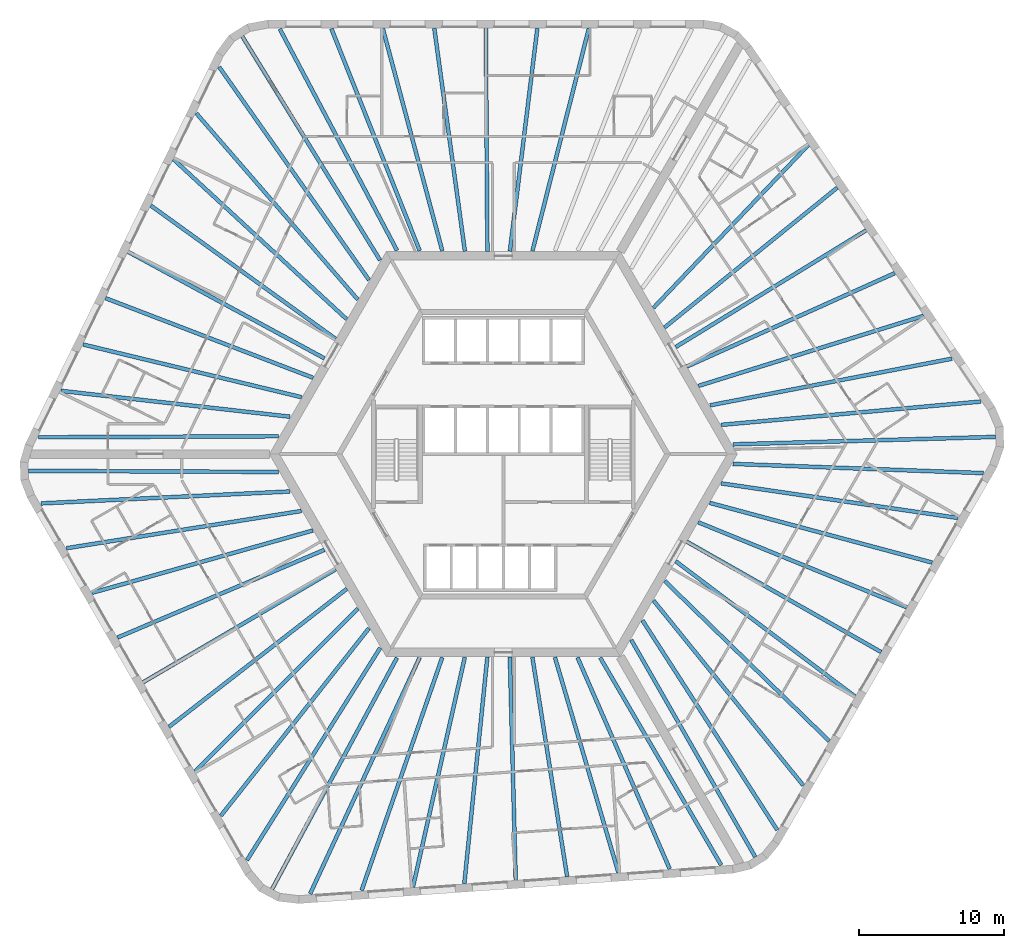
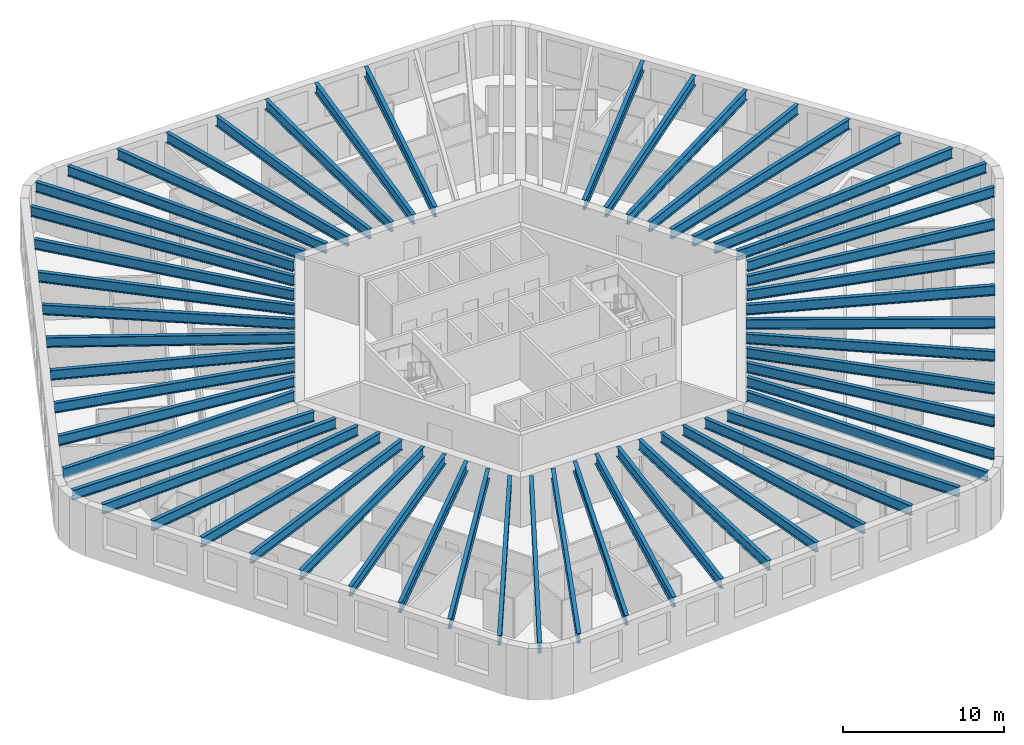
# One storey, part 1 of 12: 55 beams.
"""IFC4 building model written with IfcOpenShell, lengths in metres."""

from ifc_helpers import new_model, si_unit, direction, frame, origin, origin_2d, place, context, subcontext, project, spatial, i_section, extrude, material, material_profile, profile_set, type_object, element, save


model = new_model("IFC4")

# Units and contexts
model_context = context("Model", 3, precision=1e-05, world=origin(), true_north=direction((0.0, 1.0)))
body_context = subcontext(model_context, "Body", "Model", "MODEL_VIEW")
ifc_project = project(units=[si_unit("LENGTHUNIT", "METRE"), si_unit("AREAUNIT", "SQUARE_METRE"), si_unit("VOLUMEUNIT", "CUBIC_METRE"), si_unit("PLANEANGLEUNIT", "RADIAN"), si_unit("MASSUNIT", "GRAM", prefix="KILO")], contexts=[model_context])

# Site, building, storey
site_placement = place(None, origin())
site = spatial("IfcSite", under=ifc_project, at=site_placement, CompositionType="ELEMENT")
building_placement = place(site_placement, origin())
building = spatial("IfcBuilding", under=site, at=building_placement, Name="Tarnside Tower", CompositionType="ELEMENT")
storey_placement = place(building_placement, frame((0.0, 0.0, 131.10009765625)))
storey = spatial("IfcBuildingStorey", under=building, at=storey_placement, Name="L30", CompositionType="ELEMENT", Elevation=131.10009765625)

# Beams
ifc_material = material(Name="Steel S355", Category="steel")
ifc_material_profile_1 = material_profile(ifc_material, i_section(OverallWidth=0.26513671875, OverallDepth=0.75390625, WebThickness=0.0126953125, FlangeThickness=0.017578125, FilletRadius=0.0166015625, at=origin_2d()), Name="UB 762x267x147")
ifc_profile_set_1 = profile_set([ifc_material_profile_1], Name="Steel S355")
beam_type_1 = type_object("IfcBeamType", Name="Floor beam UB 762x267x147", PredefinedType="BEAM", material=ifc_profile_set_1)
beam_1_placement = place(storey_placement, frame((2.3525390625, 29.43017578125, 3.372802734375), z_axis=(-0.122329629165, -0.992489527314, 0.0), x_axis=(0.992489527314, -0.122329629165, 0.0)))
element("IfcBeam", 1, at=beam_1_placement, inside=storey, type_object=beam_type_1, Name="Floor beam F1.04", PredefinedType="BEAM", context=body_context, shape_type="SweptSolid", body=[
    extrude(i_section(OverallWidth=0.26513671875, OverallDepth=0.75390625, WebThickness=0.0126953125, FlangeThickness=0.017578125, FilletRadius=0.0166015625, at=origin_2d()), origin(), (0.0, 0.0, 1.0), 15.527099609375),
])
beam_2_placement = place(storey_placement, frame((-1.208984375, 29.449951171875, 3.372802734375), z_axis=(0.007000128723, -0.999975498799, 0.0), x_axis=(0.999975498799, 0.007000128723, 0.0)))
element("IfcBeam", 2, at=beam_2_placement, inside=storey, type_object=beam_type_1, Name="Floor beam F1.05", PredefinedType="BEAM", context=body_context, shape_type="SweptSolid", body=[
    extrude(i_section(OverallWidth=0.26513671875, OverallDepth=0.75390625, WebThickness=0.0126953125, FlangeThickness=0.017578125, FilletRadius=0.0166015625, at=origin_2d()), origin(), (0.0, 0.0, 1.0), 15.450439453125),
])
beam_3_placement = place(storey_placement, frame((-4.7705078125, 29.43017578125, 3.372802734375), z_axis=(0.136000560933, -0.990708760144, 0.0), x_axis=(0.990708760144, 0.136000560933, 0.0)))
element("IfcBeam", 3, at=beam_3_placement, inside=storey, type_object=beam_type_1, Name="Floor beam F1.06", PredefinedType="BEAM", context=body_context, shape_type="SweptSolid", body=[
    extrude(i_section(OverallWidth=0.26513671875, OverallDepth=0.75390625, WebThickness=0.0126953125, FlangeThickness=0.017578125, FilletRadius=0.0166015625, at=origin_2d()), origin(), (0.0, 0.0, 1.0), 15.554931640625),
])
beam_4_placement = place(storey_placement, frame((-24.348876953125, 17.168212890625, 3.372802734375), z_axis=(0.811027744825, -0.585007689799, 0.0), x_axis=(0.585007689799, 0.811027744825, 0.0)))
element("IfcBeam", 4, at=beam_4_placement, inside=storey, type_object=beam_type_1, Name="Floor beam F2.04", PredefinedType="BEAM", context=body_context, shape_type="SweptSolid", body=[
    extrude(i_section(OverallWidth=0.26513671875, OverallDepth=0.75390625, WebThickness=0.0126953125, FlangeThickness=0.017578125, FilletRadius=0.0166015625, at=origin_2d()), origin(), (0.0, 0.0, 1.0), 15.731689453125),
])
beam_5_placement = place(storey_placement, frame((-25.92626953125, 13.978271484375, 3.372802734375), z_axis=(0.878894567679, -0.477016078245, 0.0), x_axis=(0.477016078245, 0.878894567679, 0.0)))
element("IfcBeam", 5, at=beam_5_placement, inside=storey, type_object=beam_type_1, Name="Floor beam F2.05", PredefinedType="BEAM", context=body_context, shape_type="SweptSolid", body=[
    extrude(i_section(OverallWidth=0.26513671875, OverallDepth=0.75390625, WebThickness=0.0126953125, FlangeThickness=0.017578125, FilletRadius=0.0166015625, at=origin_2d()), origin(), (0.0, 0.0, 1.0), 15.427490234375),
])
beam_6_placement = place(storey_placement, frame((-27.487548828125, 10.77734375, 3.372802734375), z_axis=(0.933617702452, -0.358270827264, 0.0), x_axis=(0.358270827264, 0.933617702452, 0.0)))
element("IfcBeam", 6, at=beam_6_placement, inside=storey, type_object=beam_type_1, Name="Floor beam F2.06", PredefinedType="BEAM", context=body_context, shape_type="SweptSolid", body=[
    extrude(i_section(OverallWidth=0.26513671875, OverallDepth=0.75390625, WebThickness=0.0126953125, FlangeThickness=0.017578125, FilletRadius=0.0166015625, at=origin_2d()), origin(), (0.0, 0.0, 1.0), 15.363037109375),
])
beam_7_placement = place(storey_placement, frame((-29.029296875, 7.572509765625, 3.372802734375), z_axis=(0.972101750991, -0.234559556873, 0.0), x_axis=(0.234559556873, 0.972101750991, 0.0)))
element("IfcBeam", 7, at=beam_7_placement, inside=storey, type_object=beam_type_1, Name="Floor beam F2.07", PredefinedType="BEAM", context=body_context, shape_type="SweptSolid", body=[
    extrude(i_section(OverallWidth=0.26513671875, OverallDepth=0.75390625, WebThickness=0.0126953125, FlangeThickness=0.017578125, FilletRadius=0.0166015625, at=origin_2d()), origin(), (0.0, 0.0, 1.0), 15.522216796875),
])
beam_8_placement = place(storey_placement, frame((-26.66357421875, -12.677734375, 3.372802734375), z_axis=(0.920684021494, 0.390308765679, 0.0), x_axis=(-0.390308765679, 0.920684021494, 0.0)))
element("IfcBeam", 8, at=beam_8_placement, inside=storey, type_object=beam_type_1, Name="Floor beam F3.04", PredefinedType="BEAM", context=body_context, shape_type="SweptSolid", body=[
    extrude(i_section(OverallWidth=0.26513671875, OverallDepth=0.75390625, WebThickness=0.0126953125, FlangeThickness=0.017578125, FilletRadius=0.0166015625, at=origin_2d()), origin(), (0.0, 0.0, 1.0), 15.52685546875),
])
beam_9_placement = place(storey_placement, frame((-24.89990234375, -15.772216796875, 3.372802734375), z_axis=(0.862497502004, 0.506061319443, 0.0), x_axis=(-0.506061319443, 0.862497502004, 0.0)))
element("IfcBeam", 9, at=beam_9_placement, inside=storey, type_object=beam_type_1, Name="Floor beam F3.05", PredefinedType="BEAM", context=body_context, shape_type="SweptSolid", body=[
    extrude(i_section(OverallWidth=0.26513671875, OverallDepth=0.75390625, WebThickness=0.0126953125, FlangeThickness=0.017578125, FilletRadius=0.0166015625, at=origin_2d()), origin(), (0.0, 0.0, 1.0), 15.450439453125),
])
beam_10_placement = place(storey_placement, frame((-23.10205078125, -18.846435546875, 3.372802734375), z_axis=(0.789983963813, 0.613127504617, 0.0), x_axis=(-0.613127504617, 0.789983963813, 0.0)))
element("IfcBeam", 10, at=beam_10_placement, inside=storey, type_object=beam_type_1, Name="Floor beam F3.06", PredefinedType="BEAM", context=body_context, shape_type="SweptSolid", body=[
    extrude(i_section(OverallWidth=0.26513671875, OverallDepth=0.75390625, WebThickness=0.0126953125, FlangeThickness=0.017578125, FilletRadius=0.0166015625, at=origin_2d()), origin(), (0.0, 0.0, 1.0), 15.554931640625),
])
beam_11_placement = place(storey_placement, frame((-2.693603515625, -29.6708984375, 3.372802734375), z_axis=(0.101123115756, 0.994873919379, 0.0), x_axis=(-0.994873919379, 0.101123115756, 0.0)))
element("IfcBeam", 11, at=beam_11_placement, inside=storey, type_object=beam_type_1, Name="Floor beam F4.04", PredefinedType="BEAM", context=body_context, shape_type="SweptSolid", body=[
    extrude(i_section(OverallWidth=0.26513671875, OverallDepth=0.75390625, WebThickness=0.0126953125, FlangeThickness=0.017578125, FilletRadius=0.0166015625, at=origin_2d()), origin(), (0.0, 0.0, 1.0), 15.7314453125),
])
beam_12_placement = place(storey_placement, frame((0.857666015625, -29.44189453125, 3.372802734375), z_axis=(-0.026333316788, 0.999653218085, 0.0), x_axis=(-0.999653218085, -0.026333316788, 0.0)))
element("IfcBeam", 12, at=beam_12_placement, inside=storey, type_object=beam_type_1, Name="Floor beam F4.05", PredefinedType="BEAM", context=body_context, shape_type="SweptSolid", body=[
    extrude(i_section(OverallWidth=0.26513671875, OverallDepth=0.75390625, WebThickness=0.0126953125, FlangeThickness=0.017578125, FilletRadius=0.0166015625, at=origin_2d()), origin(), (0.0, 0.0, 1.0), 15.42724609375),
])
beam_13_placement = place(storey_placement, frame((4.41015625, -29.193603515625, 3.372802734375), z_axis=(-0.156513375907, 0.98767583911, 0.0), x_axis=(-0.98767583911, -0.156513375907, 0.0)))
element("IfcBeam", 13, at=beam_13_placement, inside=storey, type_object=beam_type_1, Name="Floor beam F4.06", PredefinedType="BEAM", context=body_context, shape_type="SweptSolid", body=[
    extrude(i_section(OverallWidth=0.26513671875, OverallDepth=0.75390625, WebThickness=0.0126953125, FlangeThickness=0.017578125, FilletRadius=0.0166015625, at=origin_2d()), origin(), (0.0, 0.0, 1.0), 15.36328125),
])
beam_14_placement = place(storey_placement, frame((7.956787109375, -28.926513671875, 3.372802734375), z_axis=(-0.282920694328, 0.959143305623, 0.0), x_axis=(-0.959143305623, -0.282920694328, 0.0)))
element("IfcBeam", 14, at=beam_14_placement, inside=storey, type_object=beam_type_1, Name="Floor beam F4.07", PredefinedType="BEAM", context=body_context, shape_type="SweptSolid", body=[
    extrude(i_section(OverallWidth=0.26513671875, OverallDepth=0.75390625, WebThickness=0.0126953125, FlangeThickness=0.017578125, FilletRadius=0.0166015625, at=origin_2d()), origin(), (0.0, 0.0, 1.0), 15.5224609375),
])
beam_15_placement = place(storey_placement, frame((24.31103515625, -16.75244140625, 3.372802734375), z_axis=(-0.798361152727, 0.602178935049, 0.0), x_axis=(-0.602178935049, -0.798361152727, 0.0)))
element("IfcBeam", 15, at=beam_15_placement, inside=storey, type_object=beam_type_1, Name="Floor beam F5.04", PredefinedType="BEAM", context=body_context, shape_type="SweptSolid", body=[
    extrude(i_section(OverallWidth=0.26513671875, OverallDepth=0.75390625, WebThickness=0.0126953125, FlangeThickness=0.017578125, FilletRadius=0.0166015625, at=origin_2d()), origin(), (0.0, 0.0, 1.0), 15.527099609375),
])
beam_16_placement = place(storey_placement, frame((26.10888671875, -13.677978515625, 3.372802734375), z_axis=(-0.869502520992, 0.493928502911, 0.0), x_axis=(-0.493928502911, -0.869502520992, 0.0)))
element("IfcBeam", 16, at=beam_16_placement, inside=storey, type_object=beam_type_1, Name="Floor beam F5.05", PredefinedType="BEAM", context=body_context, shape_type="SweptSolid", body=[
    extrude(i_section(OverallWidth=0.26513671875, OverallDepth=0.75390625, WebThickness=0.0126953125, FlangeThickness=0.017578125, FilletRadius=0.0166015625, at=origin_2d()), origin(), (0.0, 0.0, 1.0), 15.4501953125),
])
beam_17_placement = place(storey_placement, frame((27.87255859375, -10.58349609375, 3.372802734375), z_axis=(-0.925981621163, 0.377568586177, 0.0), x_axis=(-0.377568586177, -0.925981621163, 0.0)))
element("IfcBeam", 17, at=beam_17_placement, inside=storey, type_object=beam_type_1, Name="Floor beam F5.06", PredefinedType="BEAM", context=body_context, shape_type="SweptSolid", body=[
    extrude(i_section(OverallWidth=0.26513671875, OverallDepth=0.75390625, WebThickness=0.0126953125, FlangeThickness=0.017578125, FilletRadius=0.0166015625, at=origin_2d()), origin(), (0.0, 0.0, 1.0), 15.554931640625),
])
beam_18_placement = place(storey_placement, frame((27.04248046875, 12.502685546875, 3.372802734375), z_axis=(-0.912146413919, -0.409864513681, 0.0), x_axis=(0.409864513681, -0.912146413919, 0.0)))
element("IfcBeam", 18, at=beam_18_placement, inside=storey, type_object=beam_type_1, Name="Floor beam F6.04", PredefinedType="BEAM", context=body_context, shape_type="SweptSolid", body=[
    extrude(i_section(OverallWidth=0.26513671875, OverallDepth=0.75390625, WebThickness=0.0126953125, FlangeThickness=0.017578125, FilletRadius=0.0166015625, at=origin_2d()), origin(), (0.0, 0.0, 1.0), 15.7314453125),
])
beam_19_placement = place(storey_placement, frame((25.068603515625, 15.463623046875, 3.372802734375), z_axis=(-0.852558490017, -0.522631821744, 0.0), x_axis=(0.522631821744, -0.852558490017, 0.0)))
element("IfcBeam", 19, at=beam_19_placement, inside=storey, type_object=beam_type_1, Name="Floor beam F6.05", PredefinedType="BEAM", context=body_context, shape_type="SweptSolid", body=[
    extrude(i_section(OverallWidth=0.26513671875, OverallDepth=0.75390625, WebThickness=0.0126953125, FlangeThickness=0.017578125, FilletRadius=0.0166015625, at=origin_2d()), origin(), (0.0, 0.0, 1.0), 15.42724609375),
])
beam_20_placement = place(storey_placement, frame((23.0771484375, 18.416259765625, 3.372802734375), z_axis=(-0.777079423039, -0.629402550272, 0.0), x_axis=(0.629402550272, -0.777079423039, 0.0)))
element("IfcBeam", 20, at=beam_20_placement, inside=storey, type_object=beam_type_1, Name="Floor beam F6.06", PredefinedType="BEAM", context=body_context, shape_type="SweptSolid", body=[
    extrude(i_section(OverallWidth=0.26513671875, OverallDepth=0.75390625, WebThickness=0.0126953125, FlangeThickness=0.017578125, FilletRadius=0.0166015625, at=origin_2d()), origin(), (0.0, 0.0, 1.0), 15.36328125),
])
beam_21_placement = place(storey_placement, frame((21.072509765625, 21.35400390625, 3.372802734375), z_axis=(-0.689174694318, -0.724595225427, 0.0), x_axis=(0.724595225427, -0.689174694318, 0.0)))
element("IfcBeam", 21, at=beam_21_placement, inside=storey, type_object=beam_type_1, Name="Floor beam F6.07", PredefinedType="BEAM", context=body_context, shape_type="SweptSolid", body=[
    extrude(i_section(OverallWidth=0.26513671875, OverallDepth=0.75390625, WebThickness=0.0126953125, FlangeThickness=0.017578125, FilletRadius=0.0166015625, at=origin_2d()), origin(), (0.0, 0.0, 1.0), 15.522216796875),
])
ifc_material_profile_2 = material_profile(ifc_material, i_section(OverallWidth=0.2666015625, OverallDepth=0.76220703125, WebThickness=0.014404296875, FlangeThickness=0.021484375, FilletRadius=0.0166015625, at=origin_2d()), Name="UB 762x267x173")
ifc_profile_set_2 = profile_set([ifc_material_profile_2], Name="Steel S355")
beam_type_2 = type_object("IfcBeamType", Name="Floor beam UB 762x267x173", PredefinedType="BEAM", material=ifc_profile_set_2)
beam_22_placement = place(storey_placement, frame((5.909423828125, 29.4111328125, 3.368896484375), z_axis=(-0.245747281389, -0.969333933013, 0.0), x_axis=(0.969333933013, -0.245747281389, 0.0)))
element("IfcBeam", 22, at=beam_22_placement, inside=storey, type_object=beam_type_2, Name="Floor beam F1.03", PredefinedType="BEAM", context=body_context, shape_type="SweptSolid", body=[
    extrude(i_section(OverallWidth=0.2666015625, OverallDepth=0.76220703125, WebThickness=0.014404296875, FlangeThickness=0.021484375, FilletRadius=0.0166015625, at=origin_2d()), origin(), (0.0, 0.0, 1.0), 15.858642578125),
])
beam_23_placement = place(storey_placement, frame((-8.3271484375, 29.411376953125, 3.368896484375), z_axis=(0.258447478572, -0.966025310652, 0.0), x_axis=(0.966025310652, 0.258447478572, 0.0)))
element("IfcBeam", 23, at=beam_23_placement, inside=storey, type_object=beam_type_2, Name="Floor beam F1.07", PredefinedType="BEAM", context=body_context, shape_type="SweptSolid", body=[
    extrude(i_section(OverallWidth=0.2666015625, OverallDepth=0.76220703125, WebThickness=0.014404296875, FlangeThickness=0.021484375, FilletRadius=0.0166015625, at=origin_2d()), origin(), (0.0, 0.0, 1.0), 15.91357421875),
])
beam_24_placement = place(storey_placement, frame((-11.87939453125, 29.394287109375, 3.368896484375), z_axis=(0.369638204477, -0.929175762593, 0.0), x_axis=(0.929175762593, 0.369638204477, 0.0)))
element("IfcBeam", 24, at=beam_24_placement, inside=storey, type_object=beam_type_2, Name="Floor beam F1.08", PredefinedType="BEAM", context=body_context, shape_type="SweptSolid", body=[
    extrude(i_section(OverallWidth=0.2666015625, OverallDepth=0.76220703125, WebThickness=0.014404296875, FlangeThickness=0.021484375, FilletRadius=0.0166015625, at=origin_2d()), origin(), (0.0, 0.0, 1.0), 16.507568359375),
])
beam_25_placement = place(storey_placement, frame((-15.44580078125, 29.37939453125, 3.368896484375), z_axis=(0.467741993634, -0.883865050441, 0.0), x_axis=(0.883865050441, 0.467741993634, 0.0)))
element("IfcBeam", 25, at=beam_25_placement, inside=storey, type_object=beam_type_2, Name="Floor beam F1.09", PredefinedType="BEAM", context=body_context, shape_type="SweptSolid", body=[
    extrude(i_section(OverallWidth=0.2666015625, OverallDepth=0.76220703125, WebThickness=0.014404296875, FlangeThickness=0.021484375, FilletRadius=0.0166015625, at=origin_2d()), origin(), (0.0, 0.0, 1.0), 17.320068359375),
])
beam_26_placement = place(storey_placement, frame((-18.042236328125, 28.8701171875, 3.368896484375), z_axis=(0.524382977035, -0.851482526771, 0.0), x_axis=(0.851482526771, 0.524382977035, 0.0)))
element("IfcBeam", 26, at=beam_26_placement, inside=storey, type_object=beam_type_2, Name="Floor beam C1", PredefinedType="BEAM", context=body_context, shape_type="SweptSolid", body=[
    extrude(i_section(OverallWidth=0.2666015625, OverallDepth=0.76220703125, WebThickness=0.014404296875, FlangeThickness=0.021484375, FilletRadius=0.0166015625, at=origin_2d()), origin(), (0.0, 0.0, 1.0), 18.1728515625),
])
beam_27_placement = place(storey_placement, frame((-19.638671875, 26.75537109375, 3.368896484375), z_axis=(0.575411427849, -0.817864101609, 0.0), x_axis=(0.817864101609, 0.575411427849, 0.0)))
element("IfcBeam", 27, at=beam_27_placement, inside=storey, type_object=beam_type_2, Name="Floor beam F2.01", PredefinedType="BEAM", context=body_context, shape_type="SweptSolid", body=[
    extrude(i_section(OverallWidth=0.2666015625, OverallDepth=0.76220703125, WebThickness=0.014404296875, FlangeThickness=0.021484375, FilletRadius=0.0166015625, at=origin_2d()), origin(), (0.0, 0.0, 1.0), 18.00048828125),
])
beam_28_placement = place(storey_placement, frame((-21.21630859375, 23.554931640625, 3.368896484375), z_axis=(0.654980748073, -0.755645564834, 0.0), x_axis=(0.755645564834, 0.654980748073, 0.0)))
element("IfcBeam", 28, at=beam_28_placement, inside=storey, type_object=beam_type_2, Name="Floor beam F2.02", PredefinedType="BEAM", context=body_context, shape_type="SweptSolid", body=[
    extrude(i_section(OverallWidth=0.2666015625, OverallDepth=0.76220703125, WebThickness=0.014404296875, FlangeThickness=0.021484375, FilletRadius=0.0166015625, at=origin_2d()), origin(), (0.0, 0.0, 1.0), 17.0302734375),
])
beam_29_placement = place(storey_placement, frame((-22.7890625, 20.368408203125, 3.368896484375), z_axis=(0.734715474517, -0.678375391288, 0.0), x_axis=(0.678375391288, 0.734715474517, 0.0)))
element("IfcBeam", 29, at=beam_29_placement, inside=storey, type_object=beam_type_2, Name="Floor beam F2.03", PredefinedType="BEAM", context=body_context, shape_type="SweptSolid", body=[
    extrude(i_section(OverallWidth=0.2666015625, OverallDepth=0.76220703125, WebThickness=0.014404296875, FlangeThickness=0.021484375, FilletRadius=0.0166015625, at=origin_2d()), origin(), (0.0, 0.0, 1.0), 16.2802734375),
])
beam_30_placement = place(storey_placement, frame((-30.570556640625, 4.372802734375, 3.368896484375), z_axis=(0.993687302776, -0.112185312326, 0.0), x_axis=(0.112185312326, 0.993687302776, 0.0)))
element("IfcBeam", 30, at=beam_30_placement, inside=storey, type_object=beam_type_2, Name="Floor beam F2.08", PredefinedType="BEAM", context=body_context, shape_type="SweptSolid", body=[
    extrude(i_section(OverallWidth=0.2666015625, OverallDepth=0.76220703125, WebThickness=0.014404296875, FlangeThickness=0.021484375, FilletRadius=0.0166015625, at=origin_2d()), origin(), (0.0, 0.0, 1.0), 15.934326171875),
])
beam_31_placement = place(storey_placement, frame((-32.119384765625, 1.162109375, 3.368896484375), z_axis=(0.999990508787, 0.004356872304, 0.0), x_axis=(-0.004356872304, 0.999990508787, 0.0)))
element("IfcBeam", 31, at=beam_31_placement, inside=storey, type_object=beam_type_2, Name="Floor beam F2.09", PredefinedType="BEAM", context=body_context, shape_type="SweptSolid", body=[
    extrude(i_section(OverallWidth=0.2666015625, OverallDepth=0.76220703125, WebThickness=0.014404296875, FlangeThickness=0.021484375, FilletRadius=0.0166015625, at=origin_2d()), origin(), (0.0, 0.0, 1.0), 16.586669921875),
])
beam_32_placement = place(storey_placement, frame((-32.80712890625, -1.1572265625, 3.368896484375), z_axis=(0.999990027056, -0.004466070929, 0.0), x_axis=(0.004466070929, 0.999990027056, 0.0)))
element("IfcBeam", 32, at=beam_32_placement, inside=storey, type_object=beam_type_2, Name="Floor beam C2", PredefinedType="BEAM", context=body_context, shape_type="SweptSolid", body=[
    extrude(i_section(OverallWidth=0.2666015625, OverallDepth=0.76220703125, WebThickness=0.014404296875, FlangeThickness=0.021484375, FilletRadius=0.0166015625, at=origin_2d()), origin(), (0.0, 0.0, 1.0), 17.2744140625),
])
beam_33_placement = place(storey_placement, frame((-31.95703125, -3.406494140625, 3.368896484375), z_axis=(0.998853818522, 0.047864905982, 0.0), x_axis=(-0.047864905982, 0.998853818522, 0.0)))
element("IfcBeam", 33, at=beam_33_placement, inside=storey, type_object=beam_type_2, Name="Floor beam F3.01", PredefinedType="BEAM", context=body_context, shape_type="SweptSolid", body=[
    extrude(i_section(OverallWidth=0.2666015625, OverallDepth=0.76220703125, WebThickness=0.014404296875, FlangeThickness=0.021484375, FilletRadius=0.0166015625, at=origin_2d()), origin(), (0.0, 0.0, 1.0), 17.2197265625),
])
beam_34_placement = place(storey_placement, frame((-30.18701171875, -6.502685546875, 3.368896484375), z_axis=(0.987678477078, 0.156496728136, 0.0), x_axis=(-0.156496728136, 0.987678477078, 0.0)))
element("IfcBeam", 34, at=beam_34_placement, inside=storey, type_object=beam_type_2, Name="Floor beam F3.02", PredefinedType="BEAM", context=body_context, shape_type="SweptSolid", body=[
    extrude(i_section(OverallWidth=0.2666015625, OverallDepth=0.76220703125, WebThickness=0.014404296875, FlangeThickness=0.021484375, FilletRadius=0.0166015625, at=origin_2d()), origin(), (0.0, 0.0, 1.0), 16.4287109375),
])
beam_35_placement = place(storey_placement, frame((-28.425537109375, -9.587890625, 3.368896484375), z_axis=(0.962342240503, 0.271840784547, 0.0), x_axis=(-0.271840784547, 0.962342240503, 0.0)))
element("IfcBeam", 35, at=beam_35_placement, inside=storey, type_object=beam_type_2, Name="Floor beam F3.03", PredefinedType="BEAM", context=body_context, shape_type="SweptSolid", body=[
    extrude(i_section(OverallWidth=0.2666015625, OverallDepth=0.76220703125, WebThickness=0.014404296875, FlangeThickness=0.021484375, FilletRadius=0.0166015625, at=origin_2d()), origin(), (0.0, 0.0, 1.0), 15.858642578125),
])
beam_36_placement = place(storey_placement, frame((-21.307373046875, -21.917236328125, 3.368896484375), z_axis=(0.707367544857, 0.706845921318, 0.0), x_axis=(-0.706845921318, 0.707367544857, 0.0)))
element("IfcBeam", 36, at=beam_36_placement, inside=storey, type_object=beam_type_2, Name="Floor beam F3.07", PredefinedType="BEAM", context=body_context, shape_type="SweptSolid", body=[
    extrude(i_section(OverallWidth=0.2666015625, OverallDepth=0.76220703125, WebThickness=0.014404296875, FlangeThickness=0.021484375, FilletRadius=0.0166015625, at=origin_2d()), origin(), (0.0, 0.0, 1.0), 15.913330078125),
])
beam_37_placement = place(storey_placement, frame((-19.516357421875, -24.985107421875, 3.368896484375), z_axis=(0.619872995007, 0.784702153725, 0.0), x_axis=(-0.784702153725, 0.619872995007, 0.0)))
element("IfcBeam", 37, at=beam_37_placement, inside=storey, type_object=beam_type_2, Name="Floor beam F3.08", PredefinedType="BEAM", context=body_context, shape_type="SweptSolid", body=[
    extrude(i_section(OverallWidth=0.2666015625, OverallDepth=0.76220703125, WebThickness=0.014404296875, FlangeThickness=0.021484375, FilletRadius=0.0166015625, at=origin_2d()), origin(), (0.0, 0.0, 1.0), 16.507568359375),
])
beam_38_placement = place(storey_placement, frame((-17.72021484375, -28.066162109375, 3.368896484375), z_axis=(0.531583085704, 0.847006152866, 0.0), x_axis=(-0.847006152866, 0.531583085704, 0.0)))
element("IfcBeam", 38, at=beam_38_placement, inside=storey, type_object=beam_type_2, Name="Floor beam F3.09", PredefinedType="BEAM", context=body_context, shape_type="SweptSolid", body=[
    extrude(i_section(OverallWidth=0.2666015625, OverallDepth=0.76220703125, WebThickness=0.014404296875, FlangeThickness=0.021484375, FilletRadius=0.0166015625, at=origin_2d()), origin(), (0.0, 0.0, 1.0), 17.320068359375),
])
beam_39_placement = place(storey_placement, frame((-15.981201171875, -30.060302734375, 3.368896484375), z_axis=(0.475208200571, 0.879873380726, 0.0), x_axis=(-0.879873380726, 0.475208200571, 0.0)))
element("IfcBeam", 39, at=beam_39_placement, inside=storey, type_object=beam_type_2, Name="Floor beam C3", PredefinedType="BEAM", context=body_context, shape_type="SweptSolid", body=[
    extrude(i_section(OverallWidth=0.2666015625, OverallDepth=0.76220703125, WebThickness=0.014404296875, FlangeThickness=0.021484375, FilletRadius=0.0166015625, at=origin_2d()), origin(), (0.0, 0.0, 1.0), 18.173095703125),
])
beam_40_placement = place(storey_placement, frame((-13.3515625, -30.38525390625, 3.368896484375), z_axis=(0.42059199668, 0.907249895193, 0.0), x_axis=(-0.907249895193, 0.42059199668, 0.0)))
element("IfcBeam", 40, at=beam_40_placement, inside=storey, type_object=beam_type_2, Name="Floor beam F4.01", PredefinedType="BEAM", context=body_context, shape_type="SweptSolid", body=[
    extrude(i_section(OverallWidth=0.2666015625, OverallDepth=0.76220703125, WebThickness=0.014404296875, FlangeThickness=0.021484375, FilletRadius=0.0166015625, at=origin_2d()), origin(), (0.0, 0.0, 1.0), 18.000244140625),
])
beam_41_placement = place(storey_placement, frame((-9.791015625, -30.151123046875, 3.368896484375), z_axis=(0.326912128872, 0.945054739153, 0.0), x_axis=(-0.945054739153, 0.326912128872, 0.0)))
element("IfcBeam", 41, at=beam_41_placement, inside=storey, type_object=beam_type_2, Name="Floor beam F4.02", PredefinedType="BEAM", context=body_context, shape_type="SweptSolid", body=[
    extrude(i_section(OverallWidth=0.2666015625, OverallDepth=0.76220703125, WebThickness=0.014404296875, FlangeThickness=0.021484375, FilletRadius=0.0166015625, at=origin_2d()), origin(), (0.0, 0.0, 1.0), 17.0302734375),
])
beam_42_placement = place(storey_placement, frame((-6.2451171875, -29.920166015625, 3.368896484375), z_axis=(0.220139818673, 0.975468328668, 0.0), x_axis=(-0.975468328668, 0.220139818673, 0.0)))
element("IfcBeam", 42, at=beam_42_placement, inside=storey, type_object=beam_type_2, Name="Floor beam F4.03", PredefinedType="BEAM", context=body_context, shape_type="SweptSolid", body=[
    extrude(i_section(OverallWidth=0.2666015625, OverallDepth=0.76220703125, WebThickness=0.014404296875, FlangeThickness=0.021484375, FilletRadius=0.0166015625, at=origin_2d()), origin(), (0.0, 0.0, 1.0), 16.280517578125),
])
beam_43_placement = place(storey_placement, frame((11.498291015625, -28.6611328125, 3.368896484375), z_axis=(-0.399695682658, 0.916647893831, 0.0), x_axis=(-0.916647893831, -0.399695682658, 0.0)))
element("IfcBeam", 43, at=beam_43_placement, inside=storey, type_object=beam_type_2, Name="Floor beam F4.08", PredefinedType="BEAM", context=body_context, shape_type="SweptSolid", body=[
    extrude(i_section(OverallWidth=0.2666015625, OverallDepth=0.76220703125, WebThickness=0.014404296875, FlangeThickness=0.021484375, FilletRadius=0.0166015625, at=origin_2d()), origin(), (0.0, 0.0, 1.0), 15.934326171875),
])
beam_44_placement = place(storey_placement, frame((15.05322265625, -28.3974609375, 3.368896484375), z_axis=(-0.503758455062, 0.86384455717, 0.0), x_axis=(-0.86384455717, -0.503758455062, 0.0)))
element("IfcBeam", 44, at=beam_44_placement, inside=storey, type_object=beam_type_2, Name="Floor beam F4.09", PredefinedType="BEAM", context=body_context, shape_type="SweptSolid", body=[
    extrude(i_section(OverallWidth=0.2666015625, OverallDepth=0.76220703125, WebThickness=0.014404296875, FlangeThickness=0.021484375, FilletRadius=0.0166015625, at=origin_2d()), origin(), (0.0, 0.0, 1.0), 16.586669921875),
])
beam_45_placement = place(storey_placement, frame((17.40576171875, -27.833251953125, 3.368896484375), z_axis=(-0.496126762138, 0.868250099851, 0.0), x_axis=(-0.868250099851, -0.496126762138, 0.0)))
element("IfcBeam", 45, at=beam_45_placement, inside=storey, type_object=beam_type_2, Name="Floor beam C4", PredefinedType="BEAM", context=body_context, shape_type="SweptSolid", body=[
    extrude(i_section(OverallWidth=0.2666015625, OverallDepth=0.76220703125, WebThickness=0.014404296875, FlangeThickness=0.021484375, FilletRadius=0.0166015625, at=origin_2d()), origin(), (0.0, 0.0, 1.0), 17.2744140625),
])
beam_46_placement = place(storey_placement, frame((18.9287109375, -25.972412109375, 3.368896484375), z_axis=(-0.540872954463, 0.841104302171, 0.0), x_axis=(-0.841104302171, -0.540872954463, 0.0)))
element("IfcBeam", 46, at=beam_46_placement, inside=storey, type_object=beam_type_2, Name="Floor beam F5.01", PredefinedType="BEAM", context=body_context, shape_type="SweptSolid", body=[
    extrude(i_section(OverallWidth=0.2666015625, OverallDepth=0.76220703125, WebThickness=0.014404296875, FlangeThickness=0.021484375, FilletRadius=0.0166015625, at=origin_2d()), origin(), (0.0, 0.0, 1.0), 17.2197265625),
])
beam_47_placement = place(storey_placement, frame((20.72509765625, -22.89111328125, 3.368896484375), z_axis=(-0.62939015525, 0.777089462336, 0.0), x_axis=(-0.777089462336, -0.62939015525, 0.0)))
element("IfcBeam", 47, at=beam_47_placement, inside=storey, type_object=beam_type_2, Name="Floor beam F5.02", PredefinedType="BEAM", context=body_context, shape_type="SweptSolid", body=[
    extrude(i_section(OverallWidth=0.2666015625, OverallDepth=0.76220703125, WebThickness=0.014404296875, FlangeThickness=0.021484375, FilletRadius=0.0166015625, at=origin_2d()), origin(), (0.0, 0.0, 1.0), 16.4287109375),
])
beam_48_placement = place(storey_placement, frame((22.51611328125, -19.8232421875, 3.368896484375), z_axis=(-0.716594696052, 0.697489814686, 0.0), x_axis=(-0.697489814686, -0.716594696052, 0.0)))
element("IfcBeam", 48, at=beam_48_placement, inside=storey, type_object=beam_type_2, Name="Floor beam F5.03", PredefinedType="BEAM", context=body_context, shape_type="SweptSolid", body=[
    extrude(i_section(OverallWidth=0.2666015625, OverallDepth=0.76220703125, WebThickness=0.014404296875, FlangeThickness=0.021484375, FilletRadius=0.0166015625, at=origin_2d()), origin(), (0.0, 0.0, 1.0), 15.858642578125),
])
beam_49_placement = place(storey_placement, frame((29.634521484375, -7.494140625, 3.368896484375), z_axis=(-0.965827851395, 0.259184415946, 0.0), x_axis=(-0.259184415946, -0.965827851395, 0.0)))
element("IfcBeam", 49, at=beam_49_placement, inside=storey, type_object=beam_type_2, Name="Floor beam F5.07", PredefinedType="BEAM", context=body_context, shape_type="SweptSolid", body=[
    extrude(i_section(OverallWidth=0.2666015625, OverallDepth=0.76220703125, WebThickness=0.014404296875, FlangeThickness=0.021484375, FilletRadius=0.0166015625, at=origin_2d()), origin(), (0.0, 0.0, 1.0), 15.913330078125),
])
beam_50_placement = place(storey_placement, frame((31.39599609375, -4.4091796875, 3.368896484375), z_axis=(-0.989507887412, 0.144478859177, 0.0), x_axis=(-0.144478859177, -0.989507887412, 0.0)))
element("IfcBeam", 50, at=beam_50_placement, inside=storey, type_object=beam_type_2, Name="Floor beam F5.08", PredefinedType="BEAM", context=body_context, shape_type="SweptSolid", body=[
    extrude(i_section(OverallWidth=0.2666015625, OverallDepth=0.76220703125, WebThickness=0.014404296875, FlangeThickness=0.021484375, FilletRadius=0.0166015625, at=origin_2d()), origin(), (0.0, 0.0, 1.0), 16.507568359375),
])
beam_51_placement = place(storey_placement, frame((33.166259765625, -1.31298828125, 3.368896484375), z_axis=(-0.999320941149, 0.036846391708, 0.0), x_axis=(-0.036846391708, -0.999320941149, 0.0)))
element("IfcBeam", 51, at=beam_51_placement, inside=storey, type_object=beam_type_2, Name="Floor beam F5.09", PredefinedType="BEAM", context=body_context, shape_type="SweptSolid", body=[
    extrude(i_section(OverallWidth=0.2666015625, OverallDepth=0.76220703125, WebThickness=0.014404296875, FlangeThickness=0.021484375, FilletRadius=0.0166015625, at=origin_2d()), origin(), (0.0, 0.0, 1.0), 17.320068359375),
])
beam_52_placement = place(storey_placement, frame((34.0234375, 1.18994140625, 3.368896484375), z_axis=(-0.999597013499, -0.028386803343, 0.0), x_axis=(0.028386803343, -0.999597013499, 0.0)))
element("IfcBeam", 52, at=beam_52_placement, inside=storey, type_object=beam_type_2, Name="Floor beam C5", PredefinedType="BEAM", context=body_context, shape_type="SweptSolid", body=[
    extrude(i_section(OverallWidth=0.2666015625, OverallDepth=0.76220703125, WebThickness=0.014404296875, FlangeThickness=0.021484375, FilletRadius=0.0166015625, at=origin_2d()), origin(), (0.0, 0.0, 1.0), 18.1728515625),
])
beam_53_placement = place(storey_placement, frame((32.990234375, 3.6298828125, 3.368896484375), z_axis=(-0.995997485142, -0.089381259731, 0.0), x_axis=(0.089381259731, -0.995997485142, 0.0)))
element("IfcBeam", 53, at=beam_53_placement, inside=storey, type_object=beam_type_2, Name="Floor beam F6.01", PredefinedType="BEAM", context=body_context, shape_type="SweptSolid", body=[
    extrude(i_section(OverallWidth=0.2666015625, OverallDepth=0.76220703125, WebThickness=0.014404296875, FlangeThickness=0.021484375, FilletRadius=0.0166015625, at=origin_2d()), origin(), (0.0, 0.0, 1.0), 18.000244140625),
])
beam_54_placement = place(storey_placement, frame((31.007080078125, 6.596435546875, 3.368896484375), z_axis=(-0.981896564922, -0.189417886679, 0.0), x_axis=(0.189417886679, -0.981896564922, 0.0)))
element("IfcBeam", 54, at=beam_54_placement, inside=storey, type_object=beam_type_2, Name="Floor beam F6.02", PredefinedType="BEAM", context=body_context, shape_type="SweptSolid", body=[
    extrude(i_section(OverallWidth=0.2666015625, OverallDepth=0.76220703125, WebThickness=0.014404296875, FlangeThickness=0.021484375, FilletRadius=0.0166015625, at=origin_2d()), origin(), (0.0, 0.0, 1.0), 17.0302734375),
])
beam_55_placement = place(storey_placement, frame((29.0341796875, 9.5517578125, 3.368896484375), z_axis=(-0.954846945108, -0.297098151152, 0.0), x_axis=(0.297098151152, -0.954846945108, 0.0)))
element("IfcBeam", 55, at=beam_55_placement, inside=storey, type_object=beam_type_2, Name="Floor beam F6.03", PredefinedType="BEAM", context=body_context, shape_type="SweptSolid", body=[
    extrude(i_section(OverallWidth=0.2666015625, OverallDepth=0.76220703125, WebThickness=0.014404296875, FlangeThickness=0.021484375, FilletRadius=0.0166015625, at=origin_2d()), origin(), (0.0, 0.0, 1.0), 16.280517578125),
])

save(model, "model.ifc")
